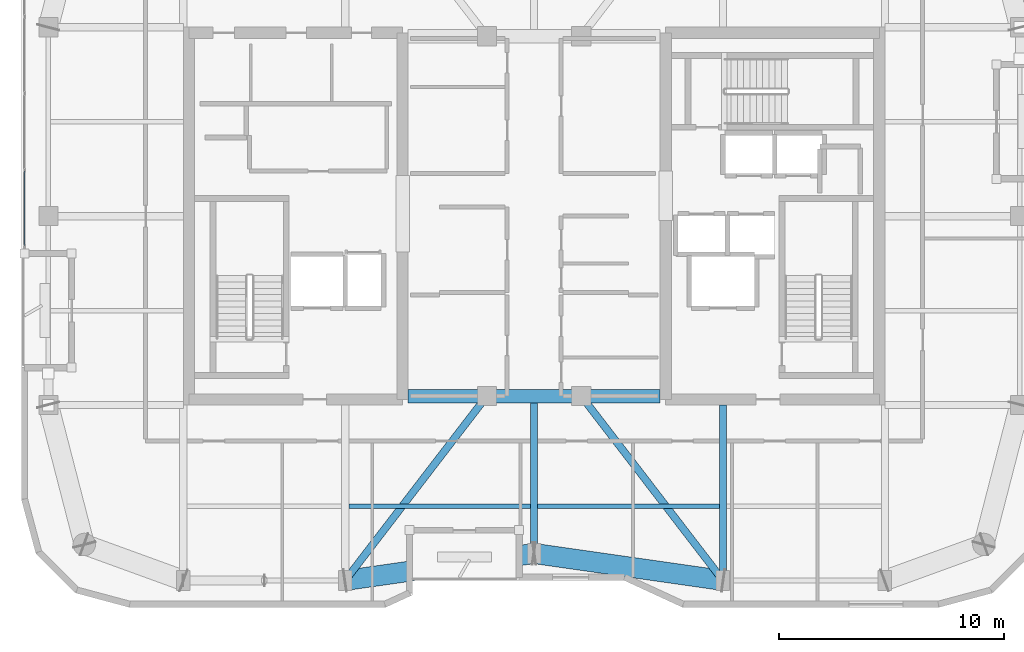
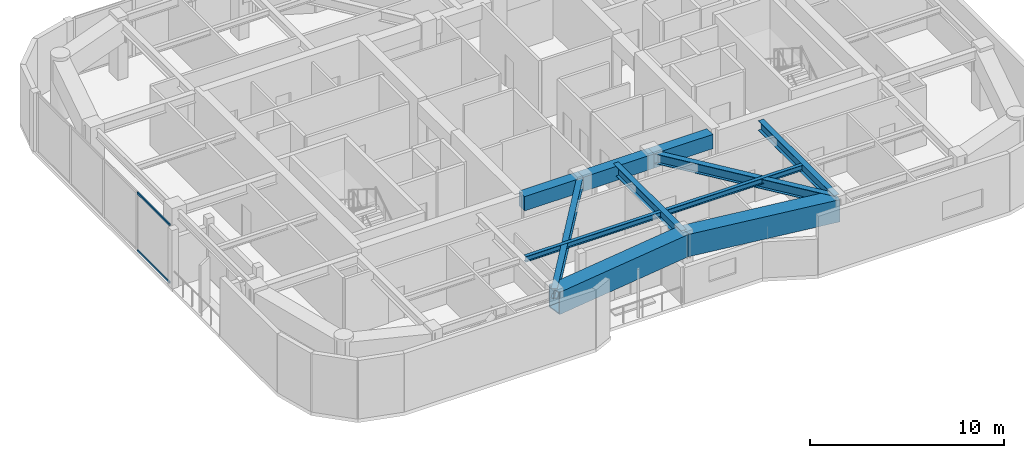
# One storey, part 3 of 15: 11 beams, 2 members, 1 element without a shape of its own.
"""IFC4 building model written with IfcOpenShell, lengths in metres."""

from ifc_helpers import new_model, si_unit, direction, frame, origin, origin_2d, place, context, subcontext, project, spatial, rectangle, hollow_rectangle, i_section, extrude, material, layer, layer_set, material_profile, profile_set, type_object, element, aggregate, save


model = new_model("IFC4")

# Units and contexts
model_context = context("Model", 3, precision=1e-05, world=origin(), true_north=direction((0.0, 1.0)))
body_context = subcontext(model_context, "Body", "Model", "MODEL_VIEW")
ifc_project = project(units=[si_unit("LENGTHUNIT", "METRE"), si_unit("AREAUNIT", "SQUARE_METRE"), si_unit("VOLUMEUNIT", "CUBIC_METRE"), si_unit("PLANEANGLEUNIT", "RADIAN"), si_unit("MASSUNIT", "GRAM", prefix="KILO")], contexts=[model_context])

# Site, building, storey
site_placement = place(None, origin())
site = spatial("IfcSite", under=ifc_project, at=site_placement, CompositionType="ELEMENT")
building_placement = place(site_placement, origin())
building = spatial("IfcBuilding", under=site, at=building_placement, Name="Kiyonajd Concourse Tower", CompositionType="ELEMENT")
storey_placement = place(building_placement, frame((0.0, 0.0, 314.10009765625)))
storey = spatial("IfcBuildingStorey", under=building, at=storey_placement, Name="L79", CompositionType="ELEMENT", Elevation=314.10009765625)

# Beams
ifc_material_1 = material(Name="Concrete C60/75", Category="concrete")
ifc_material_profile_1 = material_profile(ifc_material_1, rectangle(XDim=0.60009765625, YDim=0.89990234375, at=origin_2d()), Name="RCBM-600x900")
ifc_profile_set_1 = profile_set([ifc_material_profile_1], Name="Concrete C60/75")
beam_type_1 = type_object("IfcBeamType", Name="BM-COUP-900", PredefinedType="LINTEL", material=ifc_profile_set_1)
beam_1_placement = place(storey_placement, frame((42.39990234375, 28.0, 3.22998046875), z_axis=(1.0, 0.0, 0.0), x_axis=(0.0, 1.0, 0.0)))
element("IfcBeam", 1, at=beam_1_placement, inside=storey, type_object=beam_type_1, Name="L79 Core Coupling Beam S1", PredefinedType="LINTEL", context=body_context, shape_type="SweptSolid", body=[
    extrude(rectangle(XDim=0.60009765625, YDim=0.89990234375, at=origin_2d()), origin(), (0.0, 0.0, 1.0), 3.5),
])
beam_2_placement = place(storey_placement, frame((45.89990234375, 28.0, 3.22998046875), z_axis=(1.0, 0.0, 0.0), x_axis=(0.0, 1.0, 0.0)))
element("IfcBeam", 2, at=beam_2_placement, inside=storey, type_object=beam_type_1, Name="L79 Core Coupling Beam S2", PredefinedType="LINTEL", context=body_context, shape_type="SweptSolid", body=[
    extrude(rectangle(XDim=0.60009765625, YDim=0.89990234375, at=origin_2d()), origin(), (0.0, 0.0, 1.0), 4.2001953125),
])
beam_3_placement = place(storey_placement, frame((50.10009765625, 28.0, 3.22998046875), z_axis=(1.0, 0.0, 0.0), x_axis=(0.0, 1.0, 0.0)))
element("IfcBeam", 3, at=beam_3_placement, inside=storey, type_object=beam_type_1, Name="L79 Core Coupling Beam S3", PredefinedType="LINTEL", context=body_context, shape_type="SweptSolid", body=[
    extrude(rectangle(XDim=0.60009765625, YDim=0.89990234375, at=origin_2d()), origin(), (0.0, 0.0, 1.0), 3.5),
])
ifc_material_2 = material(Name="Steel ASTM A992 Grade 50", Category="steel")
ifc_material_profile_2 = material_profile(ifc_material_2, i_section(OverallWidth=0.205078125, OverallDepth=0.35400390625, WebThickness=0.009521484375, FlangeThickness=0.016845703125, at=origin_2d()), Name="W360X79")
ifc_profile_set_2 = profile_set([ifc_material_profile_2], Name="Steel ASTM A992 Grade 50")
beam_type_2 = type_object("IfcBeamType", Name="BM-JST-360", PredefinedType="JOIST", material=ifc_profile_set_2)
for number, where, z_axis, x_axis, name in (
    (4, (39.761962890625, 23.10009765625, 3.5029296875), (1.0, 0.0, 0.0), (0.0, 1.0, 0.0), "L79 Secondary Floor Joist"),
    (5, (48.162109375, 23.10009765625, 3.5029296875), (1.0, 0.0, 0.0), (0.0, 1.0, 0.0), "L79 Secondary Floor Joist"),
):
    element("IfcBeam", number, at=place(storey_placement, frame(where, z_axis=z_axis, x_axis=x_axis)), inside=storey, type_object=beam_type_2, Name=name, PredefinedType="JOIST", context=body_context, shape_type="SweptSolid", body=[
        extrude(i_section(OverallWidth=0.205078125, OverallDepth=0.35400390625, WebThickness=0.009521484375, FlangeThickness=0.016845703125, at=origin_2d()), origin(), (0.0, 0.0, 1.0), 8.075927734375),
    ])
ifc_material_profile_3 = material_profile(ifc_material_2, i_section(OverallWidth=0.326904296875, OverallDepth=0.6220703125, WebThickness=0.015380859375, FlangeThickness=0.0244140625, at=origin_2d()), Name="W610X195")
ifc_profile_set_3 = profile_set([ifc_material_profile_3], Name="Steel ASTM A992 Grade 50")
beam_type_3 = type_object("IfcBeamType", Name="BM-TWR-610A", PredefinedType="BEAM", material=ifc_profile_set_3)
for number, where, z_axis, x_axis, name in (
    (6, (39.60009765625, 19.800048828125, 3.368896484375), (0.609233709922, 0.792990722956, 0.0), (-0.792990722956, 0.609233709922, 0.0), "L79 Core Tie Girder"),
    (7, (50.10009765625, 28.0, 3.368896484375), (0.609233709922, -0.792990722956, 0.0), (0.792990722956, 0.609233709922, 0.0), "L79 Core Tie Girder"),
):
    element("IfcBeam", number, at=place(storey_placement, frame(where, z_axis=z_axis, x_axis=x_axis)), inside=storey, type_object=beam_type_3, Name=name, PredefinedType="BEAM", context=body_context, shape_type="SweptSolid", body=[
        extrude(i_section(OverallWidth=0.326904296875, OverallDepth=0.6220703125, WebThickness=0.015380859375, FlangeThickness=0.0244140625, at=origin_2d()), origin(), (0.0, 0.0, 1.0), 10.340576171875),
    ])
ifc_material_profile_4 = material_profile(ifc_material_2, i_section(OverallWidth=0.323974609375, OverallDepth=0.611083984375, WebThickness=0.0126953125, FlangeThickness=0.01904296875, at=origin_2d()), Name="W610X155")
ifc_profile_set_4 = profile_set([ifc_material_profile_4], Name="Steel ASTM A992 Grade 50")
beam_type_4 = type_object("IfcBeamType", Name="BM-TWR-610B", PredefinedType="BEAM", material=ifc_profile_set_4)
beam_4_placement = place(storey_placement, frame((56.39990234375, 19.800048828125, 3.37451171875), z_axis=(0.0, 1.0, 0.0), x_axis=(-1.0, 0.0, 0.0)))
element("IfcBeam", 8, at=beam_4_placement, inside=storey, type_object=beam_type_4, Name="L79 South Lease Girder", PredefinedType="BEAM", context=body_context, shape_type="SweptSolid", body=[
    extrude(i_section(OverallWidth=0.323974609375, OverallDepth=0.611083984375, WebThickness=0.0126953125, FlangeThickness=0.01904296875, at=origin_2d()), origin(), (0.0, 0.0, 1.0), 7.800048828125),
])
beam_5_placement = place(storey_placement, frame((48.0, 21.0, 3.37451171875), z_axis=(0.0, 1.0, 0.0), x_axis=(-1.0, 0.0, 0.0)))
element("IfcBeam", 9, at=beam_5_placement, inside=storey, type_object=beam_type_4, Name="L79 South Ribbon Girder", PredefinedType="BEAM", context=body_context, shape_type="SweptSolid", body=[
    extrude(i_section(OverallWidth=0.323974609375, OverallDepth=0.611083984375, WebThickness=0.0126953125, FlangeThickness=0.01904296875, at=origin_2d()), origin(), (0.0, 0.0, 1.0), 7.0),
])
ifc_material_3 = material(Name="Steel ASTM A572 Grade 50", Category="steel")
ifc_material_profile_5 = material_profile(ifc_material_3, hollow_rectangle(XDim=0.89990234375, YDim=1.39990234375, WallThickness=0.070068359375, at=origin_2d()), Name="BOX-1400x900x70")
ifc_profile_set_5 = profile_set([ifc_material_profile_5], Name="Steel ASTM A572 Grade 50")
beam_type_5 = type_object("IfcBeamType", Name="BM-XFER-1400", PredefinedType="BEAM", material=ifc_profile_set_5)
for number, where, z_axis, x_axis, name in (
    (10, (39.60009765625, 19.800048828125, 2.97998046875), (0.989950069105, 0.141417328072, 0.0), (-0.141417328072, 0.989950069105, 0.0), "L79 Perimeter Bundled Tube Spandrel"),
    (11, (48.0, 21.0, 2.97998046875), (0.989950069105, -0.141417328072, 0.0), (0.141417328072, 0.989950069105, 0.0), "L79 Perimeter Bundled Tube Spandrel"),
):
    element("IfcBeam", number, at=place(storey_placement, frame(where, z_axis=z_axis, x_axis=x_axis)), inside=storey, type_object=beam_type_5, Name=name, PredefinedType="BEAM", context=body_context, shape_type="SweptSolid", body=[
        extrude(hollow_rectangle(XDim=0.89990234375, YDim=1.39990234375, WallThickness=0.070068359375, at=origin_2d()), origin(), (0.0, 0.0, 1.0), 8.485107421875),
    ])

# Curtain wall, members
ifc_material_4 = material(Name="Thermally Broken Anodised Aluminium", Category="aluminium")
ifc_layer = layer(ifc_material_4, 0.179931640625)
ifc_layer_set = layer_set([ifc_layer], Name="Thermally Broken Anodised Aluminium")
curtain_wall_type = type_object("IfcCurtainWallType", Name="CW-SYS-04", PredefinedType="NOTDEFINED", material=ifc_layer_set)
curtain_wall_placement = place(storey_placement, origin())
curtain_wall = element("IfcCurtainWall", 12, at=curtain_wall_placement, inside=storey, type_object=curtain_wall_type, Name="L79 Unitised Curtain Wall CW4", PredefinedType="NOTDEFINED")
ifc_material_profile_6 = material_profile(ifc_material_4, hollow_rectangle(XDim=0.06494140625, YDim=0.139892578125, WallThickness=0.00390625, at=origin_2d()), Name="TRAN-65x140")
ifc_profile_set_6 = profile_set([ifc_material_profile_6], Name="Thermally Broken Anodised Aluminium")
member_type = type_object("IfcMemberType", Name="MB-CW-TRAN1", PredefinedType="USERDEFINED", material=ifc_profile_set_6)
member_1_placement = place(storey_placement, frame((25.340087890625, 34.695068359375, 0.032470703125), z_axis=(0.0, 1.0, 0.0), x_axis=(-1.0, 0.0, 0.0)))
member_1 = element("IfcMember", 13, at=member_1_placement, type_object=member_type, Name="CW4 transom 1.1", ObjectType="TRANSOM", PredefinedType="USERDEFINED", context=body_context, shape_type="SweptSolid", body=[
    extrude(hollow_rectangle(XDim=0.06494140625, YDim=0.139892578125, WallThickness=0.00390625, at=origin_2d()), origin(), (0.0, 0.0, 1.0), 3.31787109375),
])
member_2_placement = place(storey_placement, frame((25.340087890625, 34.695068359375, 3.6474609375), z_axis=(0.0, 1.0, 0.0), x_axis=(-1.0, 0.0, 0.0)))
member_2 = element("IfcMember", 14, at=member_2_placement, type_object=member_type, Name="CW4 transom 1.2", ObjectType="TRANSOM", PredefinedType="USERDEFINED", context=body_context, shape_type="SweptSolid", body=[
    extrude(hollow_rectangle(XDim=0.06494140625, YDim=0.139892578125, WallThickness=0.00390625, at=origin_2d()), origin(), (0.0, 0.0, 1.0), 3.31787109375),
])
aggregate(curtain_wall, [member_1, member_2])

save(model, "model.ifc")
